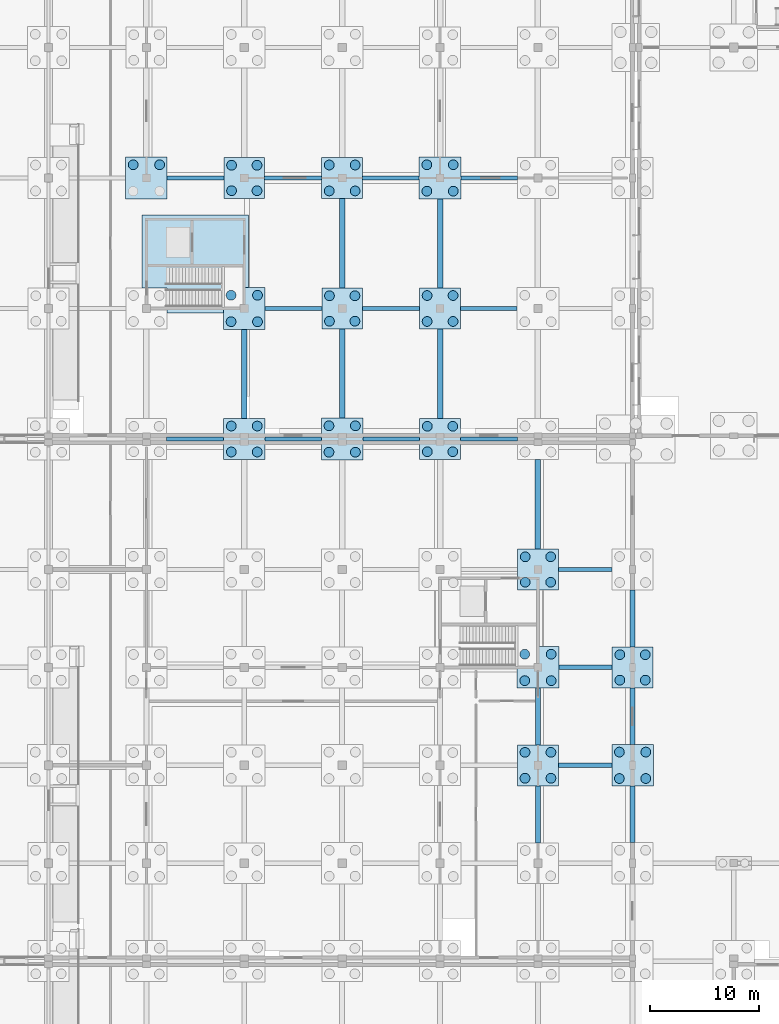
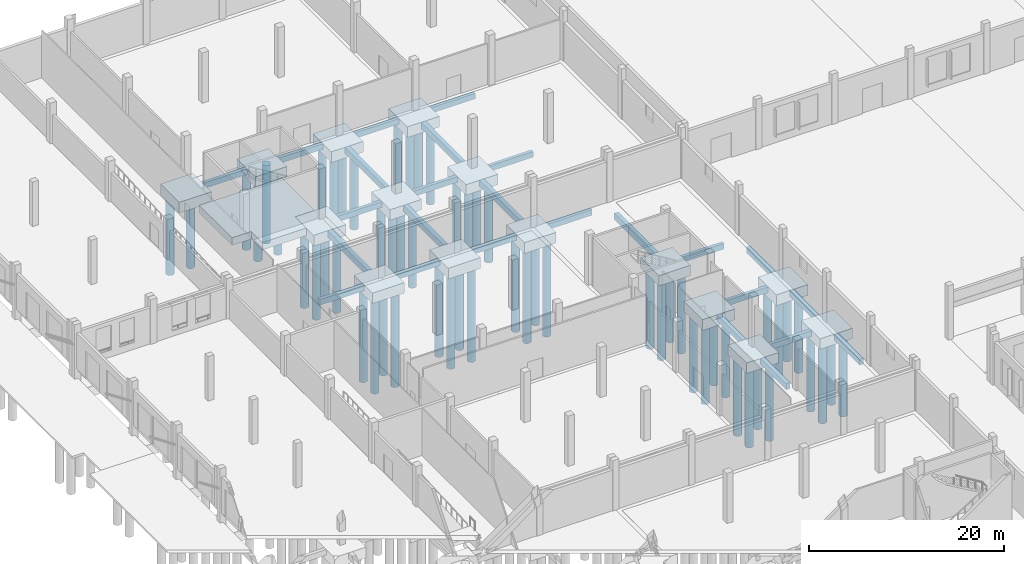
# One storey, part 10 of 99: 58 piles, 41 footings.
"""IFC4 building model written with IfcOpenShell, lengths in metres."""

from ifc_helpers import new_model, si_unit, direction, frame, origin, origin_2d, place, context, subcontext, project, spatial, polyline, rectangle, circle, outline, extrude, material, layer, layer_set, material_profile, profile_set, type_object, element, save


model = new_model("IFC4")

# Units and contexts
model_context = context("Model", 3, precision=1e-05, world=origin(), true_north=direction((0.0, 1.0)))
body_context = subcontext(model_context, "Body", "Model", "MODEL_VIEW")
ifc_project = project(units=[si_unit("LENGTHUNIT", "METRE"), si_unit("AREAUNIT", "SQUARE_METRE"), si_unit("VOLUMEUNIT", "CUBIC_METRE"), si_unit("PLANEANGLEUNIT", "RADIAN"), si_unit("MASSUNIT", "GRAM", prefix="KILO")], contexts=[model_context])

# Site, building, storey
site_placement = place(None, origin())
site = spatial("IfcSite", under=ifc_project, at=site_placement, CompositionType="ELEMENT")
building_placement = place(site_placement, origin())
building = spatial("IfcBuilding", under=site, at=building_placement, Name="Zacnel Wholesale Market", CompositionType="ELEMENT")
storey_placement = place(building_placement, origin())
storey = spatial("IfcBuildingStorey", under=building, at=storey_placement, Name="L01", CompositionType="ELEMENT", Elevation=0.0)

# Footings
ifc_material_1 = material(Name="Concrete C35/45", Category="concrete")
ifc_layer_1 = layer(ifc_material_1, 0.949951171875)
ifc_layer_set_1 = layer_set([ifc_layer_1], Name="Concrete C35/45")
footing_type_1 = type_object("IfcFootingType", Name="FTG-CORE-MAT-9500X8500", PredefinedType="PAD_FOOTING", material=ifc_layer_set_1)
footing_1_placement = place(storey_placement, frame((0.0, 0.0, -1.449951171875)))
element("IfcFooting", 1, at=footing_1_placement, inside=storey, type_object=footing_type_1, Name="Core C5 mat foundation", PredefinedType="PAD_FOOTING", context=body_context, shape_type="SweptSolid", body=[
    extrude(outline(polyline([(36.39990234375, 116.60009765625), (36.39990234375, 109.916015625), (34.0849609375, 109.916015625), (34.0849609375, 109.916015625), (34.084716796875, 109.916015625), (34.084716796875, 109.916015625), (34.084716796875, 109.916015625), (34.08447265625, 109.916015625), (34.08447265625, 109.915771484375), (34.08447265625, 109.915771484375), (34.084228515625, 109.915771484375), (34.084228515625, 109.91552734375), (34.084228515625, 109.91552734375), (34.083984375, 109.91552734375), (34.083984375, 109.915283203125), (34.083984375, 109.915283203125), (34.083984375, 109.915283203125), (34.083984375, 109.9150390625), (34.083984375, 109.9150390625), (34.083984375, 107.60009765625), (28.89111328125, 107.60009765625), (28.89111328125, 109.889892578125), (28.89111328125, 109.89013671875), (28.89111328125, 109.89013671875), (28.89111328125, 109.890380859375), (28.890869140625, 109.890380859375), (28.890869140625, 109.890380859375), (28.890869140625, 109.890625), (28.890869140625, 109.890625), (28.890625, 109.890625), (28.890625, 109.890869140625), (28.890625, 109.890869140625), (28.890380859375, 109.890869140625), (28.890380859375, 109.890869140625), (28.890380859375, 109.89111328125), (28.89013671875, 109.89111328125), (28.89013671875, 109.89111328125), (28.889892578125, 109.89111328125), (26.60009765625, 109.89111328125), (26.60009765625, 116.60009765625), (36.39990234375, 116.60009765625)])), origin(), (0.0, 0.0, 1.0), 0.949951171875),
])
ifc_material_2 = material(Name="Concrete C35/45", Category="concrete")
ifc_material_profile_1 = material_profile(ifc_material_2, rectangle(XDim=0.39990234375, YDim=0.699951171875, at=origin_2d()), Name="CT 400x700")
ifc_profile_set_1 = profile_set([ifc_material_profile_1], Name="Concrete C35/45")
footing_type_2 = type_object("IfcFootingType", Name="FTG-CT400X700", PredefinedType="FOOTING_BEAM", material=ifc_profile_set_1)
footing_2_placement = place(storey_placement, frame((64.889892578125, 66.0, -0.85009765625), z_axis=(1.0, 0.0, 0.0), x_axis=(0.0, 1.0, 0.0)))
element("IfcFooting", 2, at=footing_2_placement, inside=storey, type_object=footing_type_2, Name="Ground tie beam CT-X-0407", PredefinedType="FOOTING_BEAM", context=body_context, shape_type="SweptSolid", body=[
    extrude(rectangle(XDim=0.39990234375, YDim=0.699951171875, at=origin_2d()), origin(), (0.0, 0.0, 1.0), 4.89501953125),
])
footing_3_placement = place(storey_placement, frame((64.9150390625, 75.0, -0.85009765625), z_axis=(1.0, 0.0, 0.0), x_axis=(0.0, 1.0, 0.0)))
element("IfcFooting", 3, at=footing_3_placement, inside=storey, type_object=footing_type_2, Name="Ground tie beam CT-X-0416", PredefinedType="FOOTING_BEAM", context=body_context, shape_type="SweptSolid", body=[
    extrude(rectangle(XDim=0.39990234375, YDim=0.699951171875, at=origin_2d()), origin(), (0.0, 0.0, 1.0), 4.9150390625),
])
footing_4_placement = place(storey_placement, frame((64.8701171875, 84.0, -0.85009765625), z_axis=(1.0, 0.0, 0.0), x_axis=(0.0, 1.0, 0.0)))
element("IfcFooting", 4, at=footing_4_placement, inside=storey, type_object=footing_type_2, Name="Ground tie beam CT-X-0427", PredefinedType="FOOTING_BEAM", context=body_context, shape_type="SweptSolid", body=[
    extrude(rectangle(XDim=0.39990234375, YDim=0.699951171875, at=origin_2d()), origin(), (0.0, 0.0, 1.0), 4.93994140625),
])
footing_5_placement = place(storey_placement, frame((28.8701171875, 96.0, -0.85009765625), z_axis=(1.0, 0.0, 0.0), x_axis=(0.0, 1.0, 0.0)))
element("IfcFooting", 5, at=footing_5_placement, inside=storey, type_object=footing_type_2, Name="Ground tie beam CT-X-0437", PredefinedType="FOOTING_BEAM", context=body_context, shape_type="SweptSolid", body=[
    extrude(rectangle(XDim=0.39990234375, YDim=0.699951171875, at=origin_2d()), origin(), (0.0, 0.0, 1.0), 5.239990234375),
])
footing_6_placement = place(storey_placement, frame((37.889892578125, 96.0, -0.85009765625), z_axis=(1.0, 0.0, 0.0), x_axis=(0.0, 1.0, 0.0)))
element("IfcFooting", 6, at=footing_6_placement, inside=storey, type_object=footing_type_2, Name="Ground tie beam CT-X-0438", PredefinedType="FOOTING_BEAM", context=body_context, shape_type="SweptSolid", body=[
    extrude(rectangle(XDim=0.39990234375, YDim=0.699951171875, at=origin_2d()), origin(), (0.0, 0.0, 1.0), 5.195068359375),
])
footing_7_placement = place(storey_placement, frame((46.9150390625, 96.0, -0.85009765625), z_axis=(1.0, 0.0, 0.0), x_axis=(0.0, 1.0, 0.0)))
element("IfcFooting", 7, at=footing_7_placement, inside=storey, type_object=footing_type_2, Name="Ground tie beam CT-X-0439", PredefinedType="FOOTING_BEAM", context=body_context, shape_type="SweptSolid", body=[
    extrude(rectangle(XDim=0.39990234375, YDim=0.699951171875, at=origin_2d()), origin(), (0.0, 0.0, 1.0), 5.21484375),
])
footing_8_placement = place(storey_placement, frame((55.8701171875, 96.0, -0.85009765625), z_axis=(1.0, 0.0, 0.0), x_axis=(0.0, 1.0, 0.0)))
element("IfcFooting", 8, at=footing_8_placement, inside=storey, type_object=footing_type_2, Name="Ground tie beam CT-X-0440", PredefinedType="FOOTING_BEAM", context=body_context, shape_type="SweptSolid", body=[
    extrude(rectangle(XDim=0.39990234375, YDim=0.699951171875, at=origin_2d()), origin(), (0.0, 0.0, 1.0), 5.239990234375),
])
footing_9_placement = place(storey_placement, frame((37.9150390625, 108.0, -0.85009765625), z_axis=(1.0, 0.0, 0.0), x_axis=(0.0, 1.0, 0.0)))
element("IfcFooting", 9, at=footing_9_placement, inside=storey, type_object=footing_type_2, Name="Ground tie beam CT-X-0454", PredefinedType="FOOTING_BEAM", context=body_context, shape_type="SweptSolid", body=[
    extrude(rectangle(XDim=0.39990234375, YDim=0.699951171875, at=origin_2d()), origin(), (0.0, 0.0, 1.0), 5.21484375),
])
footing_10_placement = place(storey_placement, frame((46.8701171875, 108.0, -0.85009765625), z_axis=(1.0, 0.0, 0.0), x_axis=(0.0, 1.0, 0.0)))
element("IfcFooting", 10, at=footing_10_placement, inside=storey, type_object=footing_type_2, Name="Ground tie beam CT-X-0455", PredefinedType="FOOTING_BEAM", context=body_context, shape_type="SweptSolid", body=[
    extrude(rectangle(XDim=0.39990234375, YDim=0.699951171875, at=origin_2d()), origin(), (0.0, 0.0, 1.0), 5.239990234375),
])
footing_11_placement = place(storey_placement, frame((55.889892578125, 108.0, -0.85009765625), z_axis=(1.0, 0.0, 0.0), x_axis=(0.0, 1.0, 0.0)))
element("IfcFooting", 11, at=footing_11_placement, inside=storey, type_object=footing_type_2, Name="Ground tie beam CT-X-0456", PredefinedType="FOOTING_BEAM", context=body_context, shape_type="SweptSolid", body=[
    extrude(rectangle(XDim=0.39990234375, YDim=0.699951171875, at=origin_2d()), origin(), (0.0, 0.0, 1.0), 5.195068359375),
])
footing_12_placement = place(storey_placement, frame((28.9150390625, 120.0, -0.85009765625), z_axis=(1.0, 0.0, 0.0), x_axis=(0.0, 1.0, 0.0)))
element("IfcFooting", 12, at=footing_12_placement, inside=storey, type_object=footing_type_2, Name="Ground tie beam CT-X-0464", PredefinedType="FOOTING_BEAM", context=body_context, shape_type="SweptSolid", body=[
    extrude(rectangle(XDim=0.39990234375, YDim=0.699951171875, at=origin_2d()), origin(), (0.0, 0.0, 1.0), 5.21484375),
])
footing_13_placement = place(storey_placement, frame((37.8701171875, 120.0, -0.85009765625), z_axis=(1.0, 0.0, 0.0), x_axis=(0.0, 1.0, 0.0)))
element("IfcFooting", 13, at=footing_13_placement, inside=storey, type_object=footing_type_2, Name="Ground tie beam CT-X-0465", PredefinedType="FOOTING_BEAM", context=body_context, shape_type="SweptSolid", body=[
    extrude(rectangle(XDim=0.39990234375, YDim=0.699951171875, at=origin_2d()), origin(), (0.0, 0.0, 1.0), 5.239990234375),
])
footing_14_placement = place(storey_placement, frame((46.889892578125, 120.0, -0.85009765625), z_axis=(1.0, 0.0, 0.0), x_axis=(0.0, 1.0, 0.0)))
element("IfcFooting", 14, at=footing_14_placement, inside=storey, type_object=footing_type_2, Name="Ground tie beam CT-X-0466", PredefinedType="FOOTING_BEAM", context=body_context, shape_type="SweptSolid", body=[
    extrude(rectangle(XDim=0.39990234375, YDim=0.699951171875, at=origin_2d()), origin(), (0.0, 0.0, 1.0), 5.195068359375),
])
footing_15_placement = place(storey_placement, frame((55.9150390625, 120.0, -0.85009765625), z_axis=(1.0, 0.0, 0.0), x_axis=(0.0, 1.0, 0.0)))
element("IfcFooting", 15, at=footing_15_placement, inside=storey, type_object=footing_type_2, Name="Ground tie beam CT-X-0467", PredefinedType="FOOTING_BEAM", context=body_context, shape_type="SweptSolid", body=[
    extrude(rectangle(XDim=0.39990234375, YDim=0.699951171875, at=origin_2d()), origin(), (0.0, 0.0, 1.0), 5.21484375),
])
ifc_material_3 = material(Name="Concrete C35/45", Category="concrete")
ifc_material_profile_2 = material_profile(ifc_material_3, rectangle(XDim=0.449951171875, YDim=0.75, at=origin_2d()), Name="CT 450x750")
ifc_profile_set_2 = profile_set([ifc_material_profile_2], Name="Concrete C35/45")
footing_type_3 = type_object("IfcFootingType", Name="FTG-CT450X750", PredefinedType="FOOTING_BEAM", material=ifc_profile_set_2)
footing_16_placement = place(storey_placement, frame((63.0, 58.8701171875, -0.875), z_axis=(0.0, 1.0, 0.0), x_axis=(-1.0, 0.0, 0.0)))
element("IfcFooting", 16, at=footing_16_placement, inside=storey, type_object=footing_type_3, Name="Ground tie beam CT-Y-0079", PredefinedType="FOOTING_BEAM", context=body_context, shape_type="SweptSolid", body=[
    extrude(rectangle(XDim=0.449951171875, YDim=0.75, at=origin_2d()), origin(), (0.0, 0.0, 1.0), 5.239990234375),
])
for number, where, z_axis, x_axis, name in (
    (17, (63.0, 67.889892578125, -0.875), (0.0, 1.0, 0.0), (-1.0, 0.0, 0.0), "Ground tie beam CT-Y-0080"),
    (18, (71.699951171875, 58.889892578125, -0.875), (0.0, 1.0, 0.0), (-1.0, 0.0, 0.0), "Ground tie beam CT-Y-0089"),
):
    element("IfcFooting", number, at=place(storey_placement, frame(where, z_axis=z_axis, x_axis=x_axis)), inside=storey, type_object=footing_type_3, Name=name, PredefinedType="FOOTING_BEAM", context=body_context, shape_type="SweptSolid", body=[
        extrude(rectangle(XDim=0.449951171875, YDim=0.75, at=origin_2d()), origin(), (0.0, 0.0, 1.0), 5.195068359375),
    ])
footing_17_placement = place(storey_placement, frame((71.699951171875, 67.9150390625, -0.875), z_axis=(0.0, 1.0, 0.0), x_axis=(-1.0, 0.0, 0.0)))
element("IfcFooting", 19, at=footing_17_placement, inside=storey, type_object=footing_type_3, Name="Ground tie beam CT-Y-0090", PredefinedType="FOOTING_BEAM", context=body_context, shape_type="SweptSolid", body=[
    extrude(rectangle(XDim=0.449951171875, YDim=0.75, at=origin_2d()), origin(), (0.0, 0.0, 1.0), 5.21484375),
])
footing_18_placement = place(storey_placement, frame((71.699951171875, 76.8701171875, -0.875), z_axis=(0.0, 1.0, 0.0), x_axis=(-1.0, 0.0, 0.0)))
element("IfcFooting", 20, at=footing_18_placement, inside=storey, type_object=footing_type_3, Name="Ground tie beam CT-Y-0091", PredefinedType="FOOTING_BEAM", context=body_context, shape_type="SweptSolid", body=[
    extrude(rectangle(XDim=0.449951171875, YDim=0.75, at=origin_2d()), origin(), (0.0, 0.0, 1.0), 5.239990234375),
])
ifc_material_4 = material(Name="Concrete C35/45", Category="concrete")
ifc_material_profile_3 = material_profile(ifc_material_4, rectangle(XDim=0.5, YDim=0.800048828125, at=origin_2d()), Name="CT 500x800")
ifc_profile_set_3 = profile_set([ifc_material_profile_3], Name="Concrete C35/45")
footing_type_4 = type_object("IfcFootingType", Name="FTG-CT500X800", PredefinedType="FOOTING_BEAM", material=ifc_profile_set_3)
footing_19_placement = place(storey_placement, frame((36.0, 97.889892578125, -0.89990234375), z_axis=(0.0, 1.0, 0.0), x_axis=(-1.0, 0.0, 0.0)))
element("IfcFooting", 21, at=footing_19_placement, inside=storey, type_object=footing_type_4, Name="Ground tie beam CT-Y-0042", PredefinedType="FOOTING_BEAM", context=body_context, shape_type="SweptSolid", body=[
    extrude(rectangle(XDim=0.5, YDim=0.800048828125, at=origin_2d()), origin(), (0.0, 0.0, 1.0), 8.195068359375),
])
footing_20_placement = place(storey_placement, frame((45.0, 97.9150390625, -0.89990234375), z_axis=(0.0, 1.0, 0.0), x_axis=(-1.0, 0.0, 0.0)))
element("IfcFooting", 22, at=footing_20_placement, inside=storey, type_object=footing_type_4, Name="Ground tie beam CT-Y-0053", PredefinedType="FOOTING_BEAM", context=body_context, shape_type="SweptSolid", body=[
    extrude(rectangle(XDim=0.5, YDim=0.800048828125, at=origin_2d()), origin(), (0.0, 0.0, 1.0), 8.21484375),
])
for number, where, z_axis, x_axis, name in (
    (23, (45.0, 109.8701171875, -0.89990234375), (0.0, 1.0, 0.0), (-1.0, 0.0, 0.0), "Ground tie beam CT-Y-0054"),
    (24, (54.0, 97.8701171875, -0.89990234375), (0.0, 1.0, 0.0), (-1.0, 0.0, 0.0), "Ground tie beam CT-Y-0068"),
):
    element("IfcFooting", number, at=place(storey_placement, frame(where, z_axis=z_axis, x_axis=x_axis)), inside=storey, type_object=footing_type_4, Name=name, PredefinedType="FOOTING_BEAM", context=body_context, shape_type="SweptSolid", body=[
        extrude(rectangle(XDim=0.5, YDim=0.800048828125, at=origin_2d()), origin(), (0.0, 0.0, 1.0), 8.239990234375),
    ])
footing_21_placement = place(storey_placement, frame((54.0, 109.889892578125, -0.89990234375), z_axis=(0.0, 1.0, 0.0), x_axis=(-1.0, 0.0, 0.0)))
element("IfcFooting", 25, at=footing_21_placement, inside=storey, type_object=footing_type_4, Name="Ground tie beam CT-Y-0069", PredefinedType="FOOTING_BEAM", context=body_context, shape_type="SweptSolid", body=[
    extrude(rectangle(XDim=0.5, YDim=0.800048828125, at=origin_2d()), origin(), (0.0, 0.0, 1.0), 8.195068359375),
])
footing_22_placement = place(storey_placement, frame((63.0, 85.8701171875, -0.89990234375), z_axis=(0.0, 1.0, 0.0), x_axis=(-1.0, 0.0, 0.0)))
element("IfcFooting", 26, at=footing_22_placement, inside=storey, type_object=footing_type_4, Name="Ground tie beam CT-Y-0081", PredefinedType="FOOTING_BEAM", context=body_context, shape_type="SweptSolid", body=[
    extrude(rectangle(XDim=0.5, YDim=0.800048828125, at=origin_2d()), origin(), (0.0, 0.0, 1.0), 8.239990234375),
])
ifc_material_5 = material(Name="Concrete C35/45", Category="concrete")
ifc_layer_2 = layer(ifc_material_5, 1.300048828125)
ifc_layer_set_2 = layer_set([ifc_layer_2], Name="Concrete C35/45")
footing_type_5 = type_object("IfcFootingType", Name="FTG-PC-3740X3740X1300", PredefinedType="PILE_CAP", material=ifc_layer_set_2)
for number, where, z_axis, x_axis, name in (
    (27, (36.0, 120.0, -1.7998046875), (0.0, 0.0, 1.0), (1.0, 0.0, 0.0), "Pile cap PC-03 (STR-PC-063)"),
    (28, (45.0, 108.0, -1.7998046875), (0.0, 0.0, 1.0), (1.0, 0.0, 0.0), "Pile cap PC-03 (STR-PC-075)"),
    (29, (63.0, 84.0, -1.7998046875), (0.0, 0.0, 1.0), (1.0, 0.0, 0.0), "Pile cap PC-03 (STR-PC-105)"),
):
    element("IfcFooting", number, at=place(storey_placement, frame(where, z_axis=z_axis, x_axis=x_axis)), inside=storey, type_object=footing_type_5, Name=name, PredefinedType="PILE_CAP", context=body_context, shape_type="SweptSolid", body=[
        extrude(rectangle(XDim=3.739990234375, YDim=3.739990234375, at=origin_2d()), origin(), (0.0, 0.0, 1.0), 1.300048828125),
    ])
ifc_material_6 = material(Name="Concrete C35/45", Category="concrete")
ifc_layer_3 = layer(ifc_material_6, 1.35009765625)
ifc_layer_set_3 = layer_set([ifc_layer_3], Name="Concrete C35/45")
footing_type_6 = type_object("IfcFootingType", Name="FTG-PC-3740X3740X1350", PredefinedType="PILE_CAP", material=ifc_layer_set_3)
for number, where, z_axis, x_axis, name in (
    (30, (54.0, 96.0, -1.85009765625), (0.0, 0.0, 1.0), (1.0, 0.0, 0.0), "Pile cap PC-06 (STR-PC-090)"),
    (31, (71.699951171875, 75.0, -1.85009765625), (0.0, 0.0, 1.0), (1.0, 0.0, 0.0), "Pile cap PC-06 (STR-PC-120)"),
):
    element("IfcFooting", number, at=place(storey_placement, frame(where, z_axis=z_axis, x_axis=x_axis)), inside=storey, type_object=footing_type_6, Name=name, PredefinedType="PILE_CAP", context=body_context, shape_type="SweptSolid", body=[
        extrude(rectangle(XDim=3.739990234375, YDim=3.739990234375, at=origin_2d()), origin(), (0.0, 0.0, 1.0), 1.35009765625),
    ])
ifc_material_7 = material(Name="Concrete C35/45", Category="concrete")
ifc_layer_4 = layer(ifc_material_7, 1.300048828125)
ifc_layer_set_4 = layer_set([ifc_layer_4], Name="Concrete C35/45")
footing_type_7 = type_object("IfcFootingType", Name="FTG-PC-3780X3780X1300", PredefinedType="PILE_CAP", material=ifc_layer_set_4)
for number, where, z_axis, x_axis, name in (
    (32, (36.0, 96.0, -1.7998046875), (0.0, 0.0, 1.0), (1.0, 0.0, 0.0), "Pile cap PC-01 (STR-PC-061)"),
    (33, (54.0, 108.0, -1.7998046875), (0.0, 0.0, 1.0), (1.0, 0.0, 0.0), "Pile cap PC-01 (STR-PC-091)"),
    (34, (63.0, 66.0, -1.7998046875), (0.0, 0.0, 1.0), (1.0, 0.0, 0.0), "Pile cap PC-01 (STR-PC-103)"),
):
    element("IfcFooting", number, at=place(storey_placement, frame(where, z_axis=z_axis, x_axis=x_axis)), inside=storey, type_object=footing_type_7, Name=name, PredefinedType="PILE_CAP", context=body_context, shape_type="SweptSolid", body=[
        extrude(rectangle(XDim=3.780029296875, YDim=3.780029296875, at=origin_2d()), origin(), (0.0, 0.0, 1.0), 1.300048828125),
    ])
ifc_material_8 = material(Name="Concrete C35/45", Category="concrete")
ifc_layer_5 = layer(ifc_material_8, 1.35009765625)
ifc_layer_set_5 = layer_set([ifc_layer_5], Name="Concrete C35/45")
footing_type_8 = type_object("IfcFootingType", Name="FTG-PC-3780X3780X1350", PredefinedType="PILE_CAP", material=ifc_layer_set_5)
footing_23_placement = place(storey_placement, frame((45.0, 120.0, -1.85009765625), z_axis=(0.0, 0.0, 1.0), x_axis=(1.0, 0.0, 0.0)))
element("IfcFooting", 35, at=footing_23_placement, inside=storey, type_object=footing_type_8, Name="Pile cap PC-04 (STR-PC-076)", PredefinedType="PILE_CAP", context=body_context, shape_type="SweptSolid", body=[
    extrude(rectangle(XDim=3.780029296875, YDim=3.780029296875, at=origin_2d()), origin(), (0.0, 0.0, 1.0), 1.35009765625),
])
ifc_material_9 = material(Name="Concrete C35/45", Category="concrete")
ifc_layer_6 = layer(ifc_material_9, 1.300048828125)
ifc_layer_set_6 = layer_set([ifc_layer_6], Name="Concrete C35/45")
footing_type_9 = type_object("IfcFootingType", Name="FTG-PC-3830X3830X1300", PredefinedType="PILE_CAP", material=ifc_layer_set_6)
footing_24_placement = place(storey_placement, frame((71.699951171875, 66.0, -1.7998046875), z_axis=(0.0, 0.0, 1.0), x_axis=(1.0, 0.0, 0.0)))
element("IfcFooting", 36, at=footing_24_placement, inside=storey, type_object=footing_type_9, Name="Pile cap PC-05 (STR-PC-119)", PredefinedType="PILE_CAP", context=body_context, shape_type="SweptSolid", body=[
    extrude(rectangle(XDim=3.830078125, YDim=3.830078125, at=origin_2d()), origin(), (0.0, 0.0, 1.0), 1.300048828125),
])
ifc_material_10 = material(Name="Concrete C35/45", Category="concrete")
ifc_layer_7 = layer(ifc_material_10, 1.35009765625)
ifc_layer_set_7 = layer_set([ifc_layer_7], Name="Concrete C35/45")
footing_type_10 = type_object("IfcFootingType", Name="FTG-PC-3830X3830X1350", PredefinedType="PILE_CAP", material=ifc_layer_set_7)
for number, where, z_axis, x_axis, name in (
    (37, (27.0, 120.0, -1.85009765625), (0.0, 0.0, 1.0), (1.0, 0.0, 0.0), "Pile cap PC-02 (STR-PC-050)"),
    (38, (36.0, 108.0, -1.85009765625), (0.0, 0.0, 1.0), (1.0, 0.0, 0.0), "Pile cap PC-02 (STR-PC-062)"),
    (39, (45.0, 96.0, -1.85009765625), (0.0, 0.0, 1.0), (1.0, 0.0, 0.0), "Pile cap PC-02 (STR-PC-074)"),
    (40, (54.0, 120.0, -1.85009765625), (0.0, 0.0, 1.0), (1.0, 0.0, 0.0), "Pile cap PC-02 (STR-PC-092)"),
    (41, (63.0, 75.0, -1.85009765625), (0.0, 0.0, 1.0), (1.0, 0.0, 0.0), "Pile cap PC-02 (STR-PC-104)"),
):
    element("IfcFooting", number, at=place(storey_placement, frame(where, z_axis=z_axis, x_axis=x_axis)), inside=storey, type_object=footing_type_10, Name=name, PredefinedType="PILE_CAP", context=body_context, shape_type="SweptSolid", body=[
        extrude(rectangle(XDim=3.830078125, YDim=3.830078125, at=origin_2d()), origin(), (0.0, 0.0, 1.0), 1.35009765625),
    ])

# Piles
ifc_material_11 = material(Name="Concrete C35/45", Category="concrete")
ifc_material_profile_4 = material_profile(ifc_material_11, circle(Radius=0.449951171875, at=origin_2d()), Name="BORED PILE D900")
ifc_profile_set_4 = profile_set([ifc_material_profile_4], Name="Concrete C35/45")
pile_type = type_object("IfcPileType", Name="PILE-BORED-900", PredefinedType="BORED", material=ifc_profile_set_4)
for number, where, z_axis, x_axis, name in (
    (42, (25.784912109375, 121.215087890625, -1.75), (0.0, 0.0, -1.0), (1.0, 0.0, 0.0), "Bored pile STR-PILE-050-02"),
    (43, (28.215087890625, 121.215087890625, -1.75), (0.0, 0.0, -1.0), (1.0, 0.0, 0.0), "Bored pile STR-PILE-050-04"),
):
    element("IfcPile", number, at=place(storey_placement, frame(where, z_axis=z_axis, x_axis=x_axis)), inside=storey, type_object=pile_type, Name=name, PredefinedType="BORED", context=body_context, shape_type="SweptSolid", body=[
        extrude(circle(Radius=0.449951171875, at=origin_2d()), origin(), (0.0, 0.0, 1.0), 9.75),
    ])
for number, where, z_axis, x_axis, name in (
    (44, (34.8076171875, 94.8076171875, -1.699951171875), (0.0, 0.0, -1.0), (1.0, 0.0, 0.0), "Bored pile STR-PILE-061-01"),
    (45, (34.8076171875, 97.1923828125, -1.699951171875), (0.0, 0.0, -1.0), (1.0, 0.0, 0.0), "Bored pile STR-PILE-061-02"),
    (46, (37.1923828125, 94.8076171875, -1.699951171875), (0.0, 0.0, -1.0), (1.0, 0.0, 0.0), "Bored pile STR-PILE-061-03"),
    (47, (37.1923828125, 97.1923828125, -1.699951171875), (0.0, 0.0, -1.0), (1.0, 0.0, 0.0), "Bored pile STR-PILE-061-04"),
):
    element("IfcPile", number, at=place(storey_placement, frame(where, z_axis=z_axis, x_axis=x_axis)), inside=storey, type_object=pile_type, Name=name, PredefinedType="BORED", context=body_context, shape_type="SweptSolid", body=[
        extrude(circle(Radius=0.449951171875, at=origin_2d()), origin(), (0.0, 0.0, 1.0), 11.800048828125),
    ])
for number, where, z_axis, x_axis, name in (
    (48, (34.784912109375, 106.784912109375, -1.75), (0.0, 0.0, -1.0), (1.0, 0.0, 0.0), "Bored pile STR-PILE-062-01"),
    (49, (34.784912109375, 109.215087890625, -1.75), (0.0, 0.0, -1.0), (1.0, 0.0, 0.0), "Bored pile STR-PILE-062-02"),
    (50, (37.215087890625, 106.784912109375, -1.75), (0.0, 0.0, -1.0), (1.0, 0.0, 0.0), "Bored pile STR-PILE-062-03"),
    (51, (37.215087890625, 109.215087890625, -1.75), (0.0, 0.0, -1.0), (1.0, 0.0, 0.0), "Bored pile STR-PILE-062-04"),
):
    element("IfcPile", number, at=place(storey_placement, frame(where, z_axis=z_axis, x_axis=x_axis)), inside=storey, type_object=pile_type, Name=name, PredefinedType="BORED", context=body_context, shape_type="SweptSolid", body=[
        extrude(circle(Radius=0.449951171875, at=origin_2d()), origin(), (0.0, 0.0, 1.0), 9.75),
    ])
for number, where, z_axis, x_axis, name in (
    (52, (34.830078125, 118.830078125, -1.699951171875), (0.0, 0.0, -1.0), (1.0, 0.0, 0.0), "Bored pile STR-PILE-063-01"),
    (53, (34.830078125, 121.169921875, -1.699951171875), (0.0, 0.0, -1.0), (1.0, 0.0, 0.0), "Bored pile STR-PILE-063-02"),
    (54, (37.169921875, 118.830078125, -1.699951171875), (0.0, 0.0, -1.0), (1.0, 0.0, 0.0), "Bored pile STR-PILE-063-03"),
    (55, (37.169921875, 121.169921875, -1.699951171875), (0.0, 0.0, -1.0), (1.0, 0.0, 0.0), "Bored pile STR-PILE-063-04"),
):
    element("IfcPile", number, at=place(storey_placement, frame(where, z_axis=z_axis, x_axis=x_axis)), inside=storey, type_object=pile_type, Name=name, PredefinedType="BORED", context=body_context, shape_type="SweptSolid", body=[
        extrude(circle(Radius=0.449951171875, at=origin_2d()), origin(), (0.0, 0.0, 1.0), 9.800048828125),
    ])
for number, where, z_axis, x_axis, name in (
    (56, (43.784912109375, 94.784912109375, -1.75), (0.0, 0.0, -1.0), (1.0, 0.0, 0.0), "Bored pile STR-PILE-074-01"),
    (57, (43.784912109375, 97.215087890625, -1.75), (0.0, 0.0, -1.0), (1.0, 0.0, 0.0), "Bored pile STR-PILE-074-02"),
    (58, (46.215087890625, 94.784912109375, -1.75), (0.0, 0.0, -1.0), (1.0, 0.0, 0.0), "Bored pile STR-PILE-074-03"),
    (59, (46.215087890625, 97.215087890625, -1.75), (0.0, 0.0, -1.0), (1.0, 0.0, 0.0), "Bored pile STR-PILE-074-04"),
):
    element("IfcPile", number, at=place(storey_placement, frame(where, z_axis=z_axis, x_axis=x_axis)), inside=storey, type_object=pile_type, Name=name, PredefinedType="BORED", context=body_context, shape_type="SweptSolid", body=[
        extrude(circle(Radius=0.449951171875, at=origin_2d()), origin(), (0.0, 0.0, 1.0), 11.75),
    ])
for number, where, z_axis, x_axis, name in (
    (60, (43.830078125, 106.830078125, -1.699951171875), (0.0, 0.0, -1.0), (1.0, 0.0, 0.0), "Bored pile STR-PILE-075-01"),
    (61, (43.830078125, 109.169921875, -1.699951171875), (0.0, 0.0, -1.0), (1.0, 0.0, 0.0), "Bored pile STR-PILE-075-02"),
    (62, (46.169921875, 106.830078125, -1.699951171875), (0.0, 0.0, -1.0), (1.0, 0.0, 0.0), "Bored pile STR-PILE-075-03"),
    (63, (46.169921875, 109.169921875, -1.699951171875), (0.0, 0.0, -1.0), (1.0, 0.0, 0.0), "Bored pile STR-PILE-075-04"),
):
    element("IfcPile", number, at=place(storey_placement, frame(where, z_axis=z_axis, x_axis=x_axis)), inside=storey, type_object=pile_type, Name=name, PredefinedType="BORED", context=body_context, shape_type="SweptSolid", body=[
        extrude(circle(Radius=0.449951171875, at=origin_2d()), origin(), (0.0, 0.0, 1.0), 9.800048828125),
    ])
for number, where, z_axis, x_axis, name in (
    (64, (43.8076171875, 118.8076171875, -1.75), (0.0, 0.0, -1.0), (1.0, 0.0, 0.0), "Bored pile STR-PILE-076-01"),
    (65, (43.8076171875, 121.1923828125, -1.75), (0.0, 0.0, -1.0), (1.0, 0.0, 0.0), "Bored pile STR-PILE-076-02"),
    (66, (46.1923828125, 118.8076171875, -1.75), (0.0, 0.0, -1.0), (1.0, 0.0, 0.0), "Bored pile STR-PILE-076-03"),
    (67, (46.1923828125, 121.1923828125, -1.75), (0.0, 0.0, -1.0), (1.0, 0.0, 0.0), "Bored pile STR-PILE-076-04"),
):
    element("IfcPile", number, at=place(storey_placement, frame(where, z_axis=z_axis, x_axis=x_axis)), inside=storey, type_object=pile_type, Name=name, PredefinedType="BORED", context=body_context, shape_type="SweptSolid", body=[
        extrude(circle(Radius=0.449951171875, at=origin_2d()), origin(), (0.0, 0.0, 1.0), 9.75),
    ])
for number, where, z_axis, x_axis, name in (
    (68, (52.830078125, 94.830078125, -1.75), (0.0, 0.0, -1.0), (1.0, 0.0, 0.0), "Bored pile STR-PILE-090-01"),
    (69, (52.830078125, 97.169921875, -1.75), (0.0, 0.0, -1.0), (1.0, 0.0, 0.0), "Bored pile STR-PILE-090-02"),
    (70, (55.169921875, 94.830078125, -1.75), (0.0, 0.0, -1.0), (1.0, 0.0, 0.0), "Bored pile STR-PILE-090-03"),
    (71, (55.169921875, 97.169921875, -1.75), (0.0, 0.0, -1.0), (1.0, 0.0, 0.0), "Bored pile STR-PILE-090-04"),
):
    element("IfcPile", number, at=place(storey_placement, frame(where, z_axis=z_axis, x_axis=x_axis)), inside=storey, type_object=pile_type, Name=name, PredefinedType="BORED", context=body_context, shape_type="SweptSolid", body=[
        extrude(circle(Radius=0.449951171875, at=origin_2d()), origin(), (0.0, 0.0, 1.0), 11.75),
    ])
for number, where, z_axis, x_axis, name in (
    (72, (52.8076171875, 106.8076171875, -1.699951171875), (0.0, 0.0, -1.0), (1.0, 0.0, 0.0), "Bored pile STR-PILE-091-01"),
    (73, (52.8076171875, 109.1923828125, -1.699951171875), (0.0, 0.0, -1.0), (1.0, 0.0, 0.0), "Bored pile STR-PILE-091-02"),
    (74, (55.1923828125, 106.8076171875, -1.699951171875), (0.0, 0.0, -1.0), (1.0, 0.0, 0.0), "Bored pile STR-PILE-091-03"),
    (75, (55.1923828125, 109.1923828125, -1.699951171875), (0.0, 0.0, -1.0), (1.0, 0.0, 0.0), "Bored pile STR-PILE-091-04"),
):
    element("IfcPile", number, at=place(storey_placement, frame(where, z_axis=z_axis, x_axis=x_axis)), inside=storey, type_object=pile_type, Name=name, PredefinedType="BORED", context=body_context, shape_type="SweptSolid", body=[
        extrude(circle(Radius=0.449951171875, at=origin_2d()), origin(), (0.0, 0.0, 1.0), 9.800048828125),
    ])
for number, where, z_axis, x_axis, name in (
    (76, (52.784912109375, 118.784912109375, -1.75), (0.0, 0.0, -1.0), (1.0, 0.0, 0.0), "Bored pile STR-PILE-092-01"),
    (77, (52.784912109375, 121.215087890625, -1.75), (0.0, 0.0, -1.0), (1.0, 0.0, 0.0), "Bored pile STR-PILE-092-02"),
    (78, (55.215087890625, 118.784912109375, -1.75), (0.0, 0.0, -1.0), (1.0, 0.0, 0.0), "Bored pile STR-PILE-092-03"),
    (79, (55.215087890625, 121.215087890625, -1.75), (0.0, 0.0, -1.0), (1.0, 0.0, 0.0), "Bored pile STR-PILE-092-04"),
):
    element("IfcPile", number, at=place(storey_placement, frame(where, z_axis=z_axis, x_axis=x_axis)), inside=storey, type_object=pile_type, Name=name, PredefinedType="BORED", context=body_context, shape_type="SweptSolid", body=[
        extrude(circle(Radius=0.449951171875, at=origin_2d()), origin(), (0.0, 0.0, 1.0), 9.75),
    ])
for number, where, z_axis, x_axis, name in (
    (80, (61.8076171875, 64.8076171875, -1.699951171875), (0.0, 0.0, -1.0), (1.0, 0.0, 0.0), "Bored pile STR-PILE-103-01"),
    (81, (61.8076171875, 67.1923828125, -1.699951171875), (0.0, 0.0, -1.0), (1.0, 0.0, 0.0), "Bored pile STR-PILE-103-02"),
    (82, (64.1923828125, 64.8076171875, -1.699951171875), (0.0, 0.0, -1.0), (1.0, 0.0, 0.0), "Bored pile STR-PILE-103-03"),
    (83, (64.1923828125, 67.1923828125, -1.699951171875), (0.0, 0.0, -1.0), (1.0, 0.0, 0.0), "Bored pile STR-PILE-103-04"),
):
    element("IfcPile", number, at=place(storey_placement, frame(where, z_axis=z_axis, x_axis=x_axis)), inside=storey, type_object=pile_type, Name=name, PredefinedType="BORED", context=body_context, shape_type="SweptSolid", body=[
        extrude(circle(Radius=0.449951171875, at=origin_2d()), origin(), (0.0, 0.0, 1.0), 9.800048828125),
    ])
for number, where, z_axis, x_axis, name in (
    (84, (61.784912109375, 73.784912109375, -1.75), (0.0, 0.0, -1.0), (1.0, 0.0, 0.0), "Bored pile STR-PILE-104-01"),
    (85, (61.784912109375, 76.215087890625, -1.75), (0.0, 0.0, -1.0), (1.0, 0.0, 0.0), "Bored pile STR-PILE-104-02"),
    (86, (64.215087890625, 73.784912109375, -1.75), (0.0, 0.0, -1.0), (1.0, 0.0, 0.0), "Bored pile STR-PILE-104-03"),
    (87, (64.215087890625, 76.215087890625, -1.75), (0.0, 0.0, -1.0), (1.0, 0.0, 0.0), "Bored pile STR-PILE-104-04"),
):
    element("IfcPile", number, at=place(storey_placement, frame(where, z_axis=z_axis, x_axis=x_axis)), inside=storey, type_object=pile_type, Name=name, PredefinedType="BORED", context=body_context, shape_type="SweptSolid", body=[
        extrude(circle(Radius=0.449951171875, at=origin_2d()), origin(), (0.0, 0.0, 1.0), 9.75),
    ])
for number, where, z_axis, x_axis, name in (
    (88, (61.830078125, 82.830078125, -1.699951171875), (0.0, 0.0, -1.0), (1.0, 0.0, 0.0), "Bored pile STR-PILE-105-01"),
    (89, (61.830078125, 85.169921875, -1.699951171875), (0.0, 0.0, -1.0), (1.0, 0.0, 0.0), "Bored pile STR-PILE-105-02"),
    (90, (64.169921875, 82.830078125, -1.699951171875), (0.0, 0.0, -1.0), (1.0, 0.0, 0.0), "Bored pile STR-PILE-105-03"),
    (91, (64.169921875, 85.169921875, -1.699951171875), (0.0, 0.0, -1.0), (1.0, 0.0, 0.0), "Bored pile STR-PILE-105-04"),
    (92, (70.485107421875, 64.784912109375, -1.699951171875), (0.0, 0.0, -1.0), (1.0, 0.0, 0.0), "Bored pile STR-PILE-119-01"),
    (93, (70.485107421875, 67.215087890625, -1.699951171875), (0.0, 0.0, -1.0), (1.0, 0.0, 0.0), "Bored pile STR-PILE-119-02"),
    (94, (72.9150390625, 64.784912109375, -1.699951171875), (0.0, 0.0, -1.0), (1.0, 0.0, 0.0), "Bored pile STR-PILE-119-03"),
    (95, (72.9150390625, 67.215087890625, -1.699951171875), (0.0, 0.0, -1.0), (1.0, 0.0, 0.0), "Bored pile STR-PILE-119-04"),
):
    element("IfcPile", number, at=place(storey_placement, frame(where, z_axis=z_axis, x_axis=x_axis)), inside=storey, type_object=pile_type, Name=name, PredefinedType="BORED", context=body_context, shape_type="SweptSolid", body=[
        extrude(circle(Radius=0.449951171875, at=origin_2d()), origin(), (0.0, 0.0, 1.0), 9.800048828125),
    ])
for number, where, z_axis, x_axis, name in (
    (96, (70.530029296875, 73.830078125, -1.75), (0.0, 0.0, -1.0), (1.0, 0.0, 0.0), "Bored pile STR-PILE-120-01"),
    (97, (70.530029296875, 76.169921875, -1.75), (0.0, 0.0, -1.0), (1.0, 0.0, 0.0), "Bored pile STR-PILE-120-02"),
    (98, (72.8701171875, 73.830078125, -1.75), (0.0, 0.0, -1.0), (1.0, 0.0, 0.0), "Bored pile STR-PILE-120-03"),
    (99, (72.8701171875, 76.169921875, -1.75), (0.0, 0.0, -1.0), (1.0, 0.0, 0.0), "Bored pile STR-PILE-120-04"),
):
    element("IfcPile", number, at=place(storey_placement, frame(where, z_axis=z_axis, x_axis=x_axis)), inside=storey, type_object=pile_type, Name=name, PredefinedType="BORED", context=body_context, shape_type="SweptSolid", body=[
        extrude(circle(Radius=0.449951171875, at=origin_2d()), origin(), (0.0, 0.0, 1.0), 9.75),
    ])

save(model, "model.ifc")
